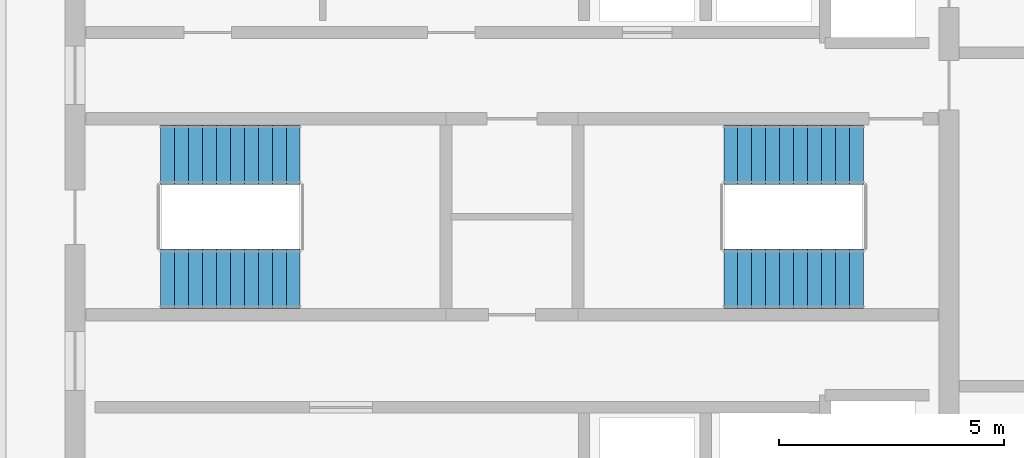
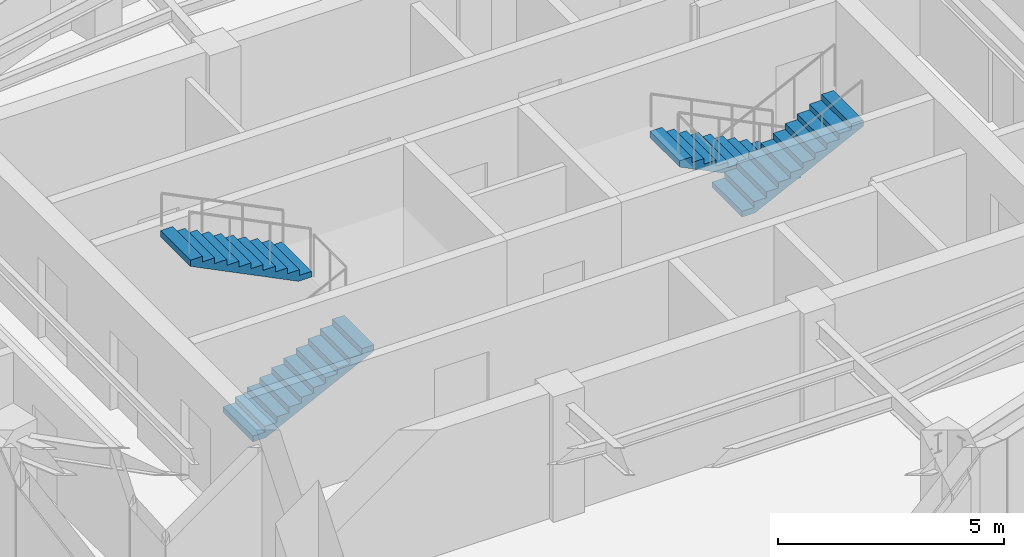
# One storey, part 4 of 5: 4 stair flights, 2 elements without a shape of their own.
"""IFC4 building model written with IfcOpenShell, lengths in metres."""

from ifc_helpers import new_model, si_unit, direction, frame, origin, place, context, subcontext, project, spatial, polyline, outline, extrude, material, type_object, element, aggregate, save


model = new_model("IFC4")

# Units and contexts
model_context = context("Model", 3, precision=1e-05, world=origin(), true_north=direction((0.0, 1.0)))
body_context = subcontext(model_context, "Body", "Model", "MODEL_VIEW")
ifc_project = project(units=[si_unit("LENGTHUNIT", "METRE"), si_unit("AREAUNIT", "SQUARE_METRE"), si_unit("VOLUMEUNIT", "CUBIC_METRE"), si_unit("PLANEANGLEUNIT", "RADIAN"), si_unit("MASSUNIT", "GRAM", prefix="KILO")], contexts=[model_context])

# Site, building, storey
site_placement = place(None, origin())
site = spatial("IfcSite", under=ifc_project, at=site_placement, CompositionType="ELEMENT")
building_placement = place(site_placement, origin())
building = spatial("IfcBuilding", under=site, at=building_placement, Name="Lazwardi Medical Tower", CompositionType="ELEMENT")
storey_placement = place(building_placement, frame((0.0, 0.0, 302.447998046875)))
storey = spatial("IfcBuildingStorey", under=building, at=storey_placement, Name="L79", CompositionType="ELEMENT", Elevation=302.447998046875)

# Stair, stair flights
ifc_material = material(Name="Concrete C45/55", Category="concrete")
stair_type = type_object("IfcStairType", Name="STR-CRN", PredefinedType="HALF_TURN_STAIR", material=ifc_material)
stair_1_placement = place(storey_placement, origin())
stair_1 = element("IfcStair", 1, at=stair_1_placement, inside=storey, type_object=stair_type, Name="L79 Protected Exit Stair ST1", PredefinedType="HALF_TURN_STAIR")
stair_flight_type = type_object("IfcStairFlightType", Name="FLT-CRN", PredefinedType="STRAIGHT", material=ifc_material)
stair_flight_1_placement = place(storey_placement, frame((28.199951171875, 26.679931640625, 0.0), z_axis=(0.0, 0.0, 1.0), x_axis=(1.0, 0.0, 0.0)))
stair_flight_1 = element("IfcStairFlight", 2, at=stair_flight_1_placement, type_object=stair_flight_type, Name="ST1 flight 1", NumberOfRisers=11, NumberOfTreads=10, PredefinedType="STRAIGHT", RiserHeight=0.154, TreadLength=0.31, context=body_context, shape_type="SweptSolid", body=[
    extrude(outline(polyline([(0.0, 0.0), (0.0, 0.154052734375), (0.31005859375, 0.154052734375), (0.31005859375, 0.30810546875), (0.6201171875, 0.30810546875), (0.6201171875, 0.4619140625), (0.929931640625, 0.4619140625), (0.929931640625, 0.615966796875), (1.239990234375, 0.615966796875), (1.239990234375, 0.77001953125), (1.550048828125, 0.77001953125), (1.550048828125, 0.924072265625), (1.860107421875, 0.924072265625), (1.860107421875, 1.077880859375), (2.169921875, 1.077880859375), (2.169921875, 1.23193359375), (2.47998046875, 1.23193359375), (2.47998046875, 1.385986328125), (2.7900390625, 1.385986328125), (2.7900390625, 1.5400390625), (3.10009765625, 1.5400390625), (3.10009765625, 1.694091796875), (3.10009765625, 1.37255859375), (0.3369140625, 0.0), (0.0, 0.0)])), frame((0.0, 0.66015625, 0.0), z_axis=(0.0, -1.0, 0.0), x_axis=(1.0, 0.0, 0.0)), (0.0, 0.0, 1.0), 1.320068359375),
])
stair_flight_2_placement = place(storey_placement, frame((31.300048828125, 29.43994140625, 1.694091796875), z_axis=(0.0, 0.0, 1.0), x_axis=(-1.0, 0.0, 0.0)))
stair_flight_2 = element("IfcStairFlight", 3, at=stair_flight_2_placement, type_object=stair_flight_type, Name="ST1 flight 2", NumberOfRisers=11, NumberOfTreads=10, PredefinedType="STRAIGHT", RiserHeight=0.154, TreadLength=0.31, context=body_context, shape_type="SweptSolid", body=[
    extrude(outline(polyline([(0.0, 0.0), (0.0, 0.154052734375), (0.31005859375, 0.154052734375), (0.31005859375, 0.30810546875), (0.6201171875, 0.30810546875), (0.6201171875, 0.4619140625), (0.929931640625, 0.4619140625), (0.929931640625, 0.615966796875), (1.239990234375, 0.615966796875), (1.239990234375, 0.77001953125), (1.550048828125, 0.77001953125), (1.550048828125, 0.924072265625), (1.860107421875, 0.924072265625), (1.860107421875, 1.077880859375), (2.169921875, 1.077880859375), (2.169921875, 1.23193359375), (2.47998046875, 1.23193359375), (2.47998046875, 1.385986328125), (2.7900390625, 1.385986328125), (2.7900390625, 1.5400390625), (3.10009765625, 1.5400390625), (3.10009765625, 1.694091796875), (3.10009765625, 1.37255859375), (0.3369140625, 0.0), (0.0, 0.0)])), frame((0.0, 0.66015625, 0.0), z_axis=(0.0, -1.0, 0.0), x_axis=(1.0, 0.0, 0.0)), (0.0, 0.0, 1.0), 1.320068359375),
])
aggregate(stair_1, [stair_flight_1, stair_flight_2])

stair_2_placement = place(storey_placement, origin())
stair_2 = element("IfcStair", 4, at=stair_2_placement, inside=storey, type_object=stair_type, Name="L79 Protected Exit Stair ST2", PredefinedType="HALF_TURN_STAIR")
stair_flight_3_placement = place(storey_placement, frame((43.800048828125, 29.43994140625, 0.0), z_axis=(0.0, 0.0, 1.0), x_axis=(-1.0, 0.0, 0.0)))
stair_flight_3 = element("IfcStairFlight", 5, at=stair_flight_3_placement, type_object=stair_flight_type, Name="ST2 flight 1", NumberOfRisers=11, NumberOfTreads=10, PredefinedType="STRAIGHT", RiserHeight=0.154, TreadLength=0.31, context=body_context, shape_type="SweptSolid", body=[
    extrude(outline(polyline([(0.0, 0.0), (0.0, 0.154052734375), (0.31005859375, 0.154052734375), (0.31005859375, 0.30810546875), (0.6201171875, 0.30810546875), (0.6201171875, 0.4619140625), (0.929931640625, 0.4619140625), (0.929931640625, 0.615966796875), (1.239990234375, 0.615966796875), (1.239990234375, 0.77001953125), (1.550048828125, 0.77001953125), (1.550048828125, 0.924072265625), (1.860107421875, 0.924072265625), (1.860107421875, 1.077880859375), (2.169921875, 1.077880859375), (2.169921875, 1.23193359375), (2.47998046875, 1.23193359375), (2.47998046875, 1.385986328125), (2.7900390625, 1.385986328125), (2.7900390625, 1.5400390625), (3.10009765625, 1.5400390625), (3.10009765625, 1.694091796875), (3.10009765625, 1.37255859375), (0.3369140625, 0.0), (0.0, 0.0)])), frame((0.0, 0.66015625, 0.0), z_axis=(0.0, -1.0, 0.0), x_axis=(1.0, 0.0, 0.0)), (0.0, 0.0, 1.0), 1.320068359375),
])
stair_flight_4_placement = place(storey_placement, frame((40.699951171875, 26.679931640625, 1.694091796875), z_axis=(0.0, 0.0, 1.0), x_axis=(1.0, 0.0, 0.0)))
stair_flight_4 = element("IfcStairFlight", 6, at=stair_flight_4_placement, type_object=stair_flight_type, Name="ST2 flight 2", NumberOfRisers=11, NumberOfTreads=10, PredefinedType="STRAIGHT", RiserHeight=0.154, TreadLength=0.31, context=body_context, shape_type="SweptSolid", body=[
    extrude(outline(polyline([(0.0, 0.0), (0.0, 0.154052734375), (0.31005859375, 0.154052734375), (0.31005859375, 0.30810546875), (0.6201171875, 0.30810546875), (0.6201171875, 0.4619140625), (0.929931640625, 0.4619140625), (0.929931640625, 0.615966796875), (1.239990234375, 0.615966796875), (1.239990234375, 0.77001953125), (1.550048828125, 0.77001953125), (1.550048828125, 0.924072265625), (1.860107421875, 0.924072265625), (1.860107421875, 1.077880859375), (2.169921875, 1.077880859375), (2.169921875, 1.23193359375), (2.47998046875, 1.23193359375), (2.47998046875, 1.385986328125), (2.7900390625, 1.385986328125), (2.7900390625, 1.5400390625), (3.10009765625, 1.5400390625), (3.10009765625, 1.694091796875), (3.10009765625, 1.37255859375), (0.3369140625, 0.0), (0.0, 0.0)])), frame((0.0, 0.66015625, 0.0), z_axis=(0.0, -1.0, 0.0), x_axis=(1.0, 0.0, 0.0)), (0.0, 0.0, 1.0), 1.320068359375),
])
aggregate(stair_2, [stair_flight_3, stair_flight_4])

save(model, "model.ifc")
